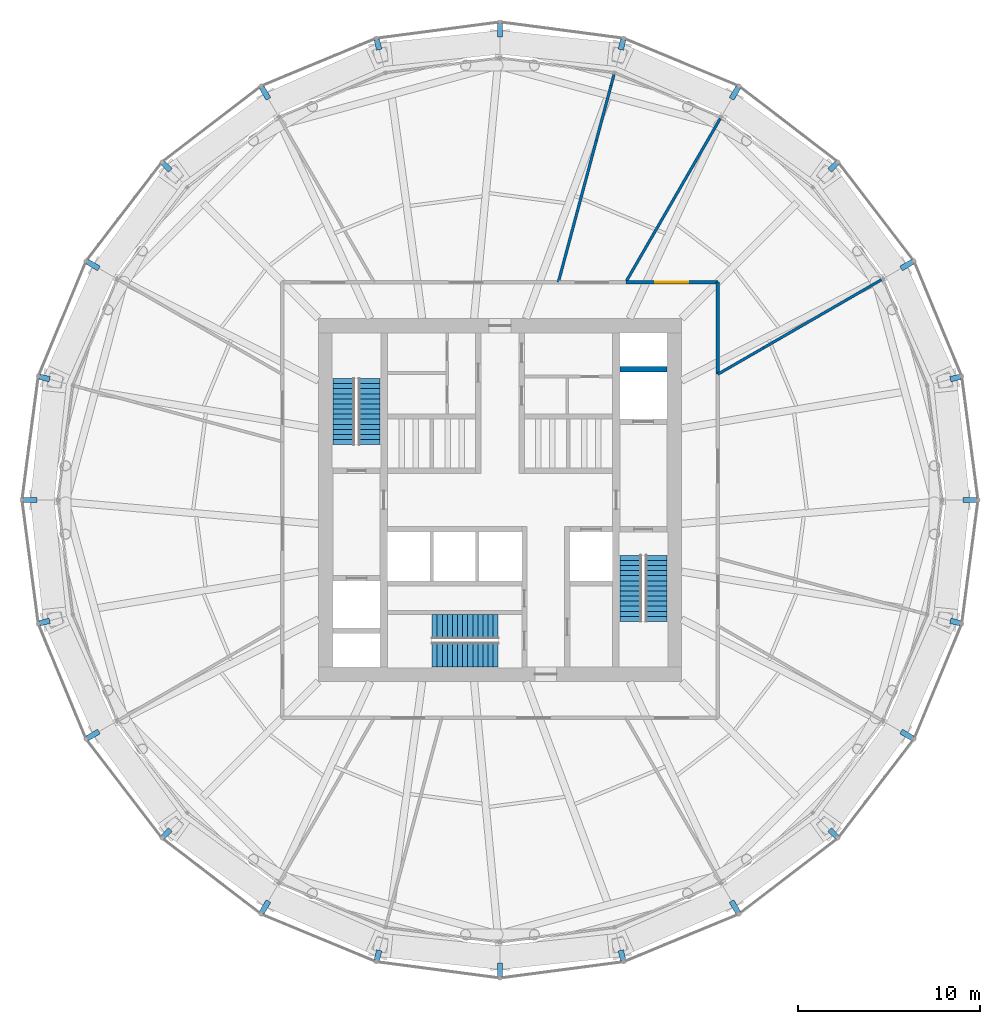
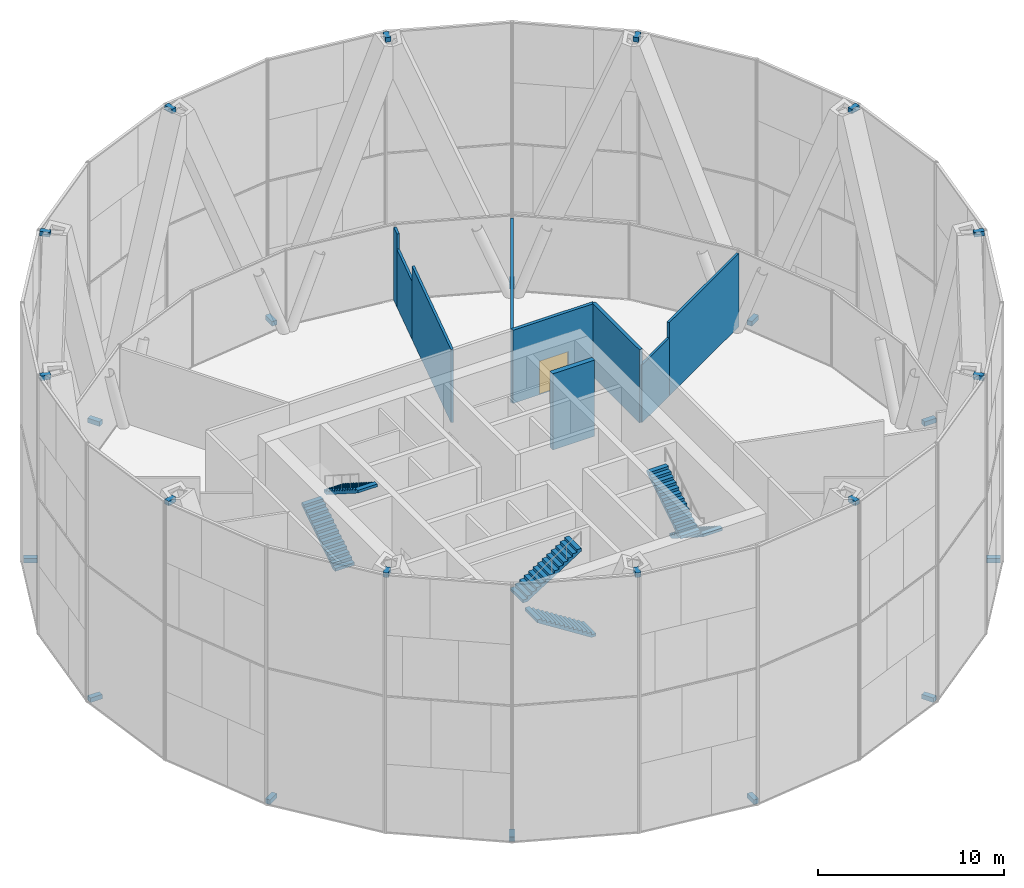
# One storey, part 15 of 16: 24 discrete accessories, 9 walls, 6 stair flights, 1 door, 1 opening, 3 elements without a shape of their own.
"""IFC4 building model written with IfcOpenShell, lengths in metres."""

from ifc_helpers import new_model, si_unit, direction, frame, frame_2d, origin, origin_2d, place, context, subcontext, project, spatial, polyline, rectangle, outline, extrude, material, layer, layer_set, type_object, element, fill, aggregate, save


model = new_model("IFC4")

# Units and contexts
model_context = context("Model", 3, precision=1e-05, world=origin(), true_north=direction((0.0, 1.0)))
body_context = subcontext(model_context, "Body", "Model", "MODEL_VIEW")
ifc_project = project(units=[si_unit("LENGTHUNIT", "METRE"), si_unit("AREAUNIT", "SQUARE_METRE"), si_unit("VOLUMEUNIT", "CUBIC_METRE"), si_unit("PLANEANGLEUNIT", "RADIAN"), si_unit("MASSUNIT", "GRAM", prefix="KILO")], contexts=[model_context])

# Site, building, storey
site_placement = place(None, origin())
site = spatial("IfcSite", under=ifc_project, at=site_placement, CompositionType="ELEMENT")
building_placement = place(site_placement, origin())
building = spatial("IfcBuilding", under=site, at=building_placement, Name="Golbaran Civic Tower", CompositionType="ELEMENT")
storey_placement = place(building_placement, frame((0.0, 0.0, 85.0)))
storey = spatial("IfcBuildingStorey", under=building, at=storey_placement, Name="L20", CompositionType="ELEMENT", Elevation=85.0)

# Wall
ifc_material_1 = material(Name="Gypsum board on steel studs, fire-rated", Category="steel")
ifc_layer_1 = layer(ifc_material_1, 0.199951171875, Name="Gypsum board on steel studs, fire-rated")
ifc_layer_set_1 = layer_set([ifc_layer_1], Name="Gypsum board on steel studs, fire-rated")
wall_type_1 = type_object("IfcWallType", Name="CORRIDOR WALL 200", PredefinedType="PARTITIONING", material=ifc_layer_set_1)
wall_1_placement = place(storey_placement, frame((12.0, 6.92822265625, 0.0), z_axis=(0.0, 0.0, 1.0), x_axis=(0.0, 1.0, 0.0)))
element("IfcWall", 1, at=wall_1_placement, inside=storey, type_object=wall_type_1, Name="Corridor wall L20", PredefinedType="PARTITIONING", context=body_context, shape_type="SweptSolid", body=[
    extrude(rectangle(XDim=5.07177734375, YDim=0.199951171875, at=frame_2d((2.535888671875, 0.0))), origin(), (0.0, 0.0, 1.0), 4.800048828125),
])

# Wall, opening, door
wall_2_placement = place(storey_placement, frame((12.0, 12.0, 0.0), z_axis=(0.0, 0.0, 1.0), x_axis=(-1.0, 0.0, 0.0)))
wall_2 = element("IfcWall", 2, at=wall_2_placement, inside=storey, type_object=wall_type_1, Name="Corridor wall L20", PredefinedType="PARTITIONING", context=body_context, shape_type="SweptSolid", body=[
    extrude(rectangle(XDim=5.07177734375, YDim=0.199951171875, at=frame_2d((2.535888671875, 0.0))), origin(), (0.0, 0.0, 1.0), 4.800048828125),
])
opening_placement = place(wall_2_placement, frame((1.635986328125, 0.0, 0.0)))
opening = element("IfcOpeningElement", 3, at=opening_placement, cuts=wall_2, Name="Opening L20.04", PredefinedType="OPENING", context=body_context, shape_type="SweptSolid", body=[
    extrude(rectangle(XDim=1.800048828125, YDim=2.199951171875, at=frame_2d((0.89990234375, 1.10009765625))), frame((0.0, 0.10986328125, 0.0), z_axis=(0.0, -1.0, 0.0), x_axis=(1.0, 0.0, 0.0)), (0.0, 0.0, 1.0), 0.219970703125),
])
ifc_material_2 = material(Name="Timber door set in steel frame", Category="steel")
door_type = type_object("IfcDoorType", Name="OFFICE DOUBLE DOOR 1800x2200", OperationType="DOUBLE_DOOR_SINGLE_SWING", PredefinedType="DOOR", material=ifc_material_2)
door_placement = place(opening_placement, origin())
door = element("IfcDoor", 4, at=door_placement, inside=storey, type_object=door_type, Name="Pump Room door L20", OperationType="DOUBLE_DOOR_SINGLE_SWING", OverallHeight=2.199951171875, OverallWidth=1.800048828125, PredefinedType="DOOR", context=body_context, shape_type="SweptSolid", body=[
    extrude(rectangle(XDim=1.800048828125, YDim=2.199951171875, at=frame_2d((0.89990234375, 1.10009765625))), frame((0.0, 0.02490234375, 0.0), z_axis=(0.0, -1.0, 0.0), x_axis=(1.0, 0.0, 0.0)), (0.0, 0.0, 1.0), 0.050048828125),
])
fill(opening, door)

# Walls
ifc_material_3 = material(Name="Gypsum board on steel studs", Category="steel")
ifc_layer_2 = layer(ifc_material_3, 0.14990234375, Name="Gypsum board on steel studs")
ifc_layer_set_2 = layer_set([ifc_layer_2], Name="Gypsum board on steel studs")
wall_type_2 = type_object("IfcWallType", Name="OFFICE PARTITION 150", PredefinedType="PARTITIONING", material=ifc_layer_set_2)
wall_3_placement = place(storey_placement, frame((12.0, 6.92822265625, 0.0), z_axis=(0.0, 0.0, 1.0), x_axis=(0.866026830048, 0.499997529631, 0.0)))
element("IfcWall", 5, at=wall_3_placement, inside=storey, type_object=wall_type_2, Name="Partition 30 L20", PredefinedType="PARTITIONING", context=body_context, shape_type="SweptSolid", body=[
    extrude(rectangle(XDim=2.91943359375, YDim=0.14990234375, at=frame_2d((1.459716796875, 0.0))), origin(), (0.0, 0.0, 1.0), 3.7900390625),
])
wall_4_placement = place(storey_placement, frame((14.5283203125, 8.387939453125, 0.0), z_axis=(0.0, 0.0, 1.0), x_axis=(0.8660207781, 0.500008011835, 0.0)))
element("IfcWall", 6, at=wall_4_placement, inside=storey, type_object=wall_type_2, Name="Partition 30 L20 (part 2)", PredefinedType="PARTITIONING", context=body_context, shape_type="SweptSolid", body=[
    extrude(rectangle(XDim=7.49951171875, YDim=0.14990234375, at=frame_2d((3.749755859375, 0.0))), origin(), (0.0, 0.0, 1.0), 4.800048828125),
])
wall_5_placement = place(storey_placement, frame((6.92822265625, 12.0, 0.0), z_axis=(0.0, 0.0, 1.0), x_axis=(0.500005074639, 0.86602247392, 0.0)))
element("IfcWall", 7, at=wall_5_placement, inside=storey, type_object=wall_type_2, Name="Partition 60 L20", PredefinedType="PARTITIONING", context=body_context, shape_type="SweptSolid", body=[
    extrude(rectangle(XDim=10.4189453125, YDim=0.14990234375, at=frame_2d((5.20947265625, 0.0))), origin(), (0.0, 0.0, 1.0), 4.800048828125),
])
wall_6_placement = place(storey_placement, frame((3.21533203125, 12.0, 0.0), z_axis=(0.0, 0.0, 1.0), x_axis=(0.258830053586, 0.965922876508, 0.0)))
element("IfcWall", 8, at=wall_6_placement, inside=storey, type_object=wall_type_2, Name="Partition 75 L20", PredefinedType="PARTITIONING", context=body_context, shape_type="SweptSolid", body=[
    extrude(rectangle(XDim=8.094970703125, YDim=0.14990234375, at=frame_2d((4.04736328125, 0.0))), origin(), (0.0, 0.0, 1.0), 4.800048828125),
])
wall_7_placement = place(storey_placement, frame((5.310546875, 19.819091796875, 0.0), z_axis=(0.0, 0.0, 1.0), x_axis=(0.258835525839, 0.965921410138, 0.0)))
element("IfcWall", 9, at=wall_7_placement, inside=storey, type_object=wall_type_2, Name="Partition 75 L20 (part 2)", PredefinedType="PARTITIONING", context=body_context, shape_type="SweptSolid", body=[
    extrude(rectangle(XDim=3.10888671875, YDim=0.14990234375, at=frame_2d((1.554443359375, 0.0))), origin(), (0.0, 0.0, 1.0), 3.7900390625),
])
wall_8_placement = place(storey_placement, frame((6.115234375, 22.822021484375, 0.0), z_axis=(0.0, 0.0, 1.0), x_axis=(0.258811407408, 0.965927872771, 0.0)))
element("IfcWall", 10, at=wall_8_placement, inside=storey, type_object=wall_type_2, Name="Partition 75 L20 (part 3)", PredefinedType="PARTITIONING", context=body_context, shape_type="SweptSolid", body=[
    extrude(rectangle(XDim=0.64794921875, YDim=0.14990234375, at=frame_2d((0.323974609375, 0.0))), origin(), (0.0, 0.0, 1.0), 4.800048828125),
])
ifc_material_4 = material(Name="Concrete C50/60", Category="concrete")
ifc_layer_3 = layer(ifc_material_4, 0.300048828125, Name="Concrete C50/60")
ifc_layer_set_3 = layer_set([ifc_layer_3], Name="Concrete C50/60")
wall_type_3 = type_object("IfcWallType", Name="SHAFT WALL CONCRETE 300", PredefinedType="SOLIDWALL", material=ifc_layer_set_3)
wall_9_placement = place(storey_placement, frame((6.60009765625, 7.199951171875, 0.0), z_axis=(0.0, 0.0, 1.0), x_axis=(1.0, 0.0, 0.0)))
element("IfcWall", 11, at=wall_9_placement, inside=storey, type_object=wall_type_3, Name="Core wall XE3 L20", PredefinedType="SOLIDWALL", context=body_context, shape_type="SweptSolid", body=[
    extrude(rectangle(XDim=2.599853515625, YDim=0.300048828125, at=frame_2d((1.2998046875, 0.0))), origin(), (0.0, 0.0, 1.0), 5.0),
])

# Stair, stair flights
ifc_material_5 = material(Name="Concrete C35/45", Category="concrete")
stair_type_1 = type_object("IfcStairType", Name="EXIT STAIR 2600 x 7450, 5000 RISE", PredefinedType="HALF_TURN_STAIR", material=ifc_material_5)
stair_1_placement = place(storey_placement, origin())
stair_1 = element("IfcStair", 12, at=stair_1_placement, inside=storey, type_object=stair_type_1, Name="Stair S1 L20", PredefinedType="HALF_TURN_STAIR")
stair_flight_type_1 = type_object("IfcStairFlightType", Name="STAIR FLIGHT 1200 WIDE", PredefinedType="STRAIGHT", material=ifc_material_5)
stair_flight_1_placement = place(storey_placement, frame((-8.60009765625, 3.050048828125, 0.0), z_axis=(0.0, 0.0, 1.0), x_axis=(0.0, 1.0, 0.0)))
stair_flight_1 = element("IfcStairFlight", 13, at=stair_flight_1_placement, type_object=stair_flight_type_1, Name="ST26074-50 flight 1", NumberOfRisers=14, NumberOfTreads=13, PredefinedType="STRAIGHT", RiserHeight=0.178571429, TreadLength=0.28, context=body_context, shape_type="SweptSolid", body=[
    extrude(outline(polyline([(0.0, 0.0), (0.0, 0.178466796875), (0.280029296875, 0.178466796875), (0.280029296875, 0.357177734375), (0.56005859375, 0.357177734375), (0.56005859375, 0.53564453125), (0.840087890625, 0.53564453125), (0.840087890625, 0.71435546875), (1.1201171875, 0.71435546875), (1.1201171875, 0.892822265625), (1.39990234375, 0.892822265625), (1.39990234375, 1.071533203125), (1.679931640625, 1.071533203125), (1.679931640625, 1.25), (1.9599609375, 1.25), (1.9599609375, 1.428466796875), (2.239990234375, 1.428466796875), (2.239990234375, 1.607177734375), (2.52001953125, 1.607177734375), (2.52001953125, 1.78564453125), (2.800048828125, 1.78564453125), (2.800048828125, 1.96435546875), (3.080078125, 1.96435546875), (3.080078125, 2.142822265625), (3.360107421875, 2.142822265625), (3.360107421875, 2.321533203125), (3.639892578125, 2.321533203125), (3.639892578125, 2.5), (3.639892578125, 2.1435546875), (0.27880859375, 0.0), (0.0, 0.0)])), frame((0.0, 0.60009765625, 0.0), z_axis=(0.0, -1.0, 0.0), x_axis=(1.0, 0.0, 0.0)), (0.0, 0.0, 1.0), 1.199951171875),
])
stair_flight_2_placement = place(storey_placement, frame((-7.199951171875, 6.68994140625, 2.5), z_axis=(0.0, 0.0, 1.0), x_axis=(0.0, -1.0, 0.0)))
stair_flight_2 = element("IfcStairFlight", 14, at=stair_flight_2_placement, type_object=stair_flight_type_1, Name="ST26074-50 flight 2", NumberOfRisers=14, NumberOfTreads=13, PredefinedType="STRAIGHT", RiserHeight=0.178571429, TreadLength=0.28, context=body_context, shape_type="SweptSolid", body=[
    extrude(outline(polyline([(0.0, 0.0), (0.0, 0.178466796875), (0.280029296875, 0.178466796875), (0.280029296875, 0.357177734375), (0.56005859375, 0.357177734375), (0.56005859375, 0.53564453125), (0.840087890625, 0.53564453125), (0.840087890625, 0.71435546875), (1.1201171875, 0.71435546875), (1.1201171875, 0.892822265625), (1.39990234375, 0.892822265625), (1.39990234375, 1.071533203125), (1.679931640625, 1.071533203125), (1.679931640625, 1.25), (1.9599609375, 1.25), (1.9599609375, 1.428466796875), (2.239990234375, 1.428466796875), (2.239990234375, 1.607177734375), (2.52001953125, 1.607177734375), (2.52001953125, 1.78564453125), (2.800048828125, 1.78564453125), (2.800048828125, 1.96435546875), (3.080078125, 1.96435546875), (3.080078125, 2.142822265625), (3.360107421875, 2.142822265625), (3.360107421875, 2.321533203125), (3.639892578125, 2.321533203125), (3.639892578125, 2.5), (3.639892578125, 2.1435546875), (0.27880859375, 0.0), (0.0, 0.0)])), frame((0.0, 0.60009765625, 0.0), z_axis=(0.0, -1.0, 0.0), x_axis=(1.0, 0.0, 0.0)), (0.0, 0.0, 1.0), 1.199951171875),
])
aggregate(stair_1, [stair_flight_1, stair_flight_2])

stair_2_placement = place(storey_placement, origin())
stair_2 = element("IfcStair", 15, at=stair_2_placement, inside=storey, type_object=stair_type_1, Name="Stair S2 L20", PredefinedType="HALF_TURN_STAIR")
stair_flight_3_placement = place(storey_placement, frame((8.60009765625, -3.050048828125, 0.0), z_axis=(0.0, 0.0, 1.0), x_axis=(0.0, -1.0, 0.0)))
stair_flight_3 = element("IfcStairFlight", 16, at=stair_flight_3_placement, type_object=stair_flight_type_1, Name="ST26074-50 flight 1", NumberOfRisers=14, NumberOfTreads=13, PredefinedType="STRAIGHT", RiserHeight=0.178571429, TreadLength=0.28, context=body_context, shape_type="SweptSolid", body=[
    extrude(outline(polyline([(0.0, 0.0), (0.0, 0.178466796875), (0.280029296875, 0.178466796875), (0.280029296875, 0.357177734375), (0.56005859375, 0.357177734375), (0.56005859375, 0.53564453125), (0.840087890625, 0.53564453125), (0.840087890625, 0.71435546875), (1.1201171875, 0.71435546875), (1.1201171875, 0.892822265625), (1.39990234375, 0.892822265625), (1.39990234375, 1.071533203125), (1.679931640625, 1.071533203125), (1.679931640625, 1.25), (1.9599609375, 1.25), (1.9599609375, 1.428466796875), (2.239990234375, 1.428466796875), (2.239990234375, 1.607177734375), (2.52001953125, 1.607177734375), (2.52001953125, 1.78564453125), (2.800048828125, 1.78564453125), (2.800048828125, 1.96435546875), (3.080078125, 1.96435546875), (3.080078125, 2.142822265625), (3.360107421875, 2.142822265625), (3.360107421875, 2.321533203125), (3.639892578125, 2.321533203125), (3.639892578125, 2.5), (3.639892578125, 2.1435546875), (0.27880859375, 0.0), (0.0, 0.0)])), frame((0.0, 0.60009765625, 0.0), z_axis=(0.0, -1.0, 0.0), x_axis=(1.0, 0.0, 0.0)), (0.0, 0.0, 1.0), 1.199951171875),
])
stair_flight_4_placement = place(storey_placement, frame((7.199951171875, -6.68994140625, 2.5), z_axis=(0.0, 0.0, 1.0), x_axis=(0.0, 1.0, 0.0)))
stair_flight_4 = element("IfcStairFlight", 17, at=stair_flight_4_placement, type_object=stair_flight_type_1, Name="ST26074-50 flight 2", NumberOfRisers=14, NumberOfTreads=13, PredefinedType="STRAIGHT", RiserHeight=0.178571429, TreadLength=0.28, context=body_context, shape_type="SweptSolid", body=[
    extrude(outline(polyline([(0.0, 0.0), (0.0, 0.178466796875), (0.280029296875, 0.178466796875), (0.280029296875, 0.357177734375), (0.56005859375, 0.357177734375), (0.56005859375, 0.53564453125), (0.840087890625, 0.53564453125), (0.840087890625, 0.71435546875), (1.1201171875, 0.71435546875), (1.1201171875, 0.892822265625), (1.39990234375, 0.892822265625), (1.39990234375, 1.071533203125), (1.679931640625, 1.071533203125), (1.679931640625, 1.25), (1.9599609375, 1.25), (1.9599609375, 1.428466796875), (2.239990234375, 1.428466796875), (2.239990234375, 1.607177734375), (2.52001953125, 1.607177734375), (2.52001953125, 1.78564453125), (2.800048828125, 1.78564453125), (2.800048828125, 1.96435546875), (3.080078125, 1.96435546875), (3.080078125, 2.142822265625), (3.360107421875, 2.142822265625), (3.360107421875, 2.321533203125), (3.639892578125, 2.321533203125), (3.639892578125, 2.5), (3.639892578125, 2.1435546875), (0.27880859375, 0.0), (0.0, 0.0)])), frame((0.0, 0.60009765625, 0.0), z_axis=(0.0, -1.0, 0.0), x_axis=(1.0, 0.0, 0.0)), (0.0, 0.0, 1.0), 1.199951171875),
])
aggregate(stair_2, [stair_flight_3, stair_flight_4])

stair_type_2 = type_object("IfcStairType", Name="EXIT STAIR 2900 x 7400, 5000 RISE", PredefinedType="HALF_TURN_STAIR", material=ifc_material_5)
stair_3_placement = place(storey_placement, origin())
stair_3 = element("IfcStair", 18, at=stair_3_placement, inside=storey, type_object=stair_type_2, Name="Stair S3 L20", PredefinedType="HALF_TURN_STAIR")
stair_flight_type_2 = type_object("IfcStairFlightType", Name="STAIR FLIGHT 1350 WIDE", PredefinedType="STRAIGHT", material=ifc_material_5)
stair_flight_5_placement = place(storey_placement, frame((-0.10009765625, -8.52490234375, 0.0), z_axis=(0.0, 0.0, 1.0), x_axis=(-1.0, 0.0, 0.0)))
stair_flight_5 = element("IfcStairFlight", 19, at=stair_flight_5_placement, type_object=stair_flight_type_2, Name="ST29074-50 flight 1", NumberOfRisers=14, NumberOfTreads=13, PredefinedType="STRAIGHT", RiserHeight=0.178571429, TreadLength=0.28, context=body_context, shape_type="SweptSolid", body=[
    extrude(outline(polyline([(0.0, 0.0), (0.0, 0.178466796875), (0.280029296875, 0.178466796875), (0.280029296875, 0.357177734375), (0.56005859375, 0.357177734375), (0.56005859375, 0.53564453125), (0.840087890625, 0.53564453125), (0.840087890625, 0.71435546875), (1.1201171875, 0.71435546875), (1.1201171875, 0.892822265625), (1.39990234375, 0.892822265625), (1.39990234375, 1.071533203125), (1.679931640625, 1.071533203125), (1.679931640625, 1.25), (1.9599609375, 1.25), (1.9599609375, 1.428466796875), (2.239990234375, 1.428466796875), (2.239990234375, 1.607177734375), (2.52001953125, 1.607177734375), (2.52001953125, 1.78564453125), (2.800048828125, 1.78564453125), (2.800048828125, 1.96435546875), (3.080078125, 1.96435546875), (3.080078125, 2.142822265625), (3.360107421875, 2.142822265625), (3.360107421875, 2.321533203125), (3.639892578125, 2.321533203125), (3.639892578125, 2.5), (3.639892578125, 2.1435546875), (0.27880859375, 0.0), (0.0, 0.0)])), frame((0.0, 0.675048828125, 0.0), z_axis=(0.0, -1.0, 0.0), x_axis=(1.0, 0.0, 0.0)), (0.0, 0.0, 1.0), 1.35009765625),
])
stair_flight_6_placement = place(storey_placement, frame((-3.739990234375, -6.97509765625, 2.5), z_axis=(0.0, 0.0, 1.0), x_axis=(1.0, 0.0, 0.0)))
stair_flight_6 = element("IfcStairFlight", 20, at=stair_flight_6_placement, type_object=stair_flight_type_2, Name="ST29074-50 flight 2", NumberOfRisers=14, NumberOfTreads=13, PredefinedType="STRAIGHT", RiserHeight=0.178571429, TreadLength=0.28, context=body_context, shape_type="SweptSolid", body=[
    extrude(outline(polyline([(0.0, 0.0), (0.0, 0.178466796875), (0.280029296875, 0.178466796875), (0.280029296875, 0.357177734375), (0.56005859375, 0.357177734375), (0.56005859375, 0.53564453125), (0.840087890625, 0.53564453125), (0.840087890625, 0.71435546875), (1.1201171875, 0.71435546875), (1.1201171875, 0.892822265625), (1.39990234375, 0.892822265625), (1.39990234375, 1.071533203125), (1.679931640625, 1.071533203125), (1.679931640625, 1.25), (1.9599609375, 1.25), (1.9599609375, 1.428466796875), (2.239990234375, 1.428466796875), (2.239990234375, 1.607177734375), (2.52001953125, 1.607177734375), (2.52001953125, 1.78564453125), (2.800048828125, 1.78564453125), (2.800048828125, 1.96435546875), (3.080078125, 1.96435546875), (3.080078125, 2.142822265625), (3.360107421875, 2.142822265625), (3.360107421875, 2.321533203125), (3.639892578125, 2.321533203125), (3.639892578125, 2.5), (3.639892578125, 2.1435546875), (0.27880859375, 0.0), (0.0, 0.0)])), frame((0.0, 0.675048828125, 0.0), z_axis=(0.0, -1.0, 0.0), x_axis=(1.0, 0.0, 0.0)), (0.0, 0.0, 1.0), 1.35009765625),
])
aggregate(stair_3, [stair_flight_5, stair_flight_6])

# Discrete accessories
ifc_material_6 = material(Name="Steel S355", Category="steel")
discrete_accessory_type = type_object("IfcDiscreteAccessoryType", Name="OUTER SKIN BRACKET", PredefinedType="BRACKET", material=ifc_material_6)
for number, where, z_axis, x_axis, name in (
    (21, (25.881103515625, 0.0, -0.7099609375), (0.0, 0.0, 1.0), (1.0, 0.0, 0.0), "Outer skin bracket L20 node 1"),
    (22, (22.41357421875, 12.9404296875, -0.7099609375), (0.0, 0.0, 1.0), (0.866025403784, 0.5, 0.0), "Outer skin bracket L20 node 2"),
    (23, (12.9404296875, 22.41357421875, -0.7099609375), (0.0, 0.0, 1.0), (0.5, 0.866025403784, 0.0), "Outer skin bracket L20 node 3"),
    (24, (0.0, 25.881103515625, -0.7099609375), (0.0, 0.0, 1.0), (0.0, 1.0, 0.0), "Outer skin bracket L20 node 4"),
    (25, (-12.9404296875, 22.41357421875, -0.7099609375), (0.0, 0.0, 1.0), (-0.5, 0.866025403784, 0.0), "Outer skin bracket L20 node 5"),
    (26, (-22.41357421875, 12.9404296875, -0.7099609375), (0.0, 0.0, 1.0), (-0.866025403784, 0.5, 0.0), "Outer skin bracket L20 node 6"),
    (27, (-25.881103515625, 0.0, -0.7099609375), (0.0, 0.0, 1.0), (-1.0, 0.0, 0.0), "Outer skin bracket L20 node 7"),
    (28, (-22.41357421875, -12.9404296875, -0.7099609375), (0.0, 0.0, 1.0), (-0.866025403784, -0.5, 0.0), "Outer skin bracket L20 node 8"),
    (29, (-12.9404296875, -22.41357421875, -0.7099609375), (0.0, 0.0, 1.0), (-0.5, -0.866025403784, 0.0), "Outer skin bracket L20 node 9"),
    (30, (0.0, -25.881103515625, -0.7099609375), (0.0, 0.0, 1.0), (0.0, -1.0, 0.0), "Outer skin bracket L20 node 10"),
    (31, (12.9404296875, -22.41357421875, -0.7099609375), (0.0, 0.0, 1.0), (0.5, -0.866025403784, 0.0), "Outer skin bracket L20 node 11"),
    (32, (22.41357421875, -12.9404296875, -0.7099609375), (0.0, 0.0, 1.0), (0.866025403784, -0.5, 0.0), "Outer skin bracket L20 node 12"),
):
    element("IfcDiscreteAccessory", number, at=place(storey_placement, frame(where, z_axis=z_axis, x_axis=x_axis)), inside=storey, type_object=discrete_accessory_type, Name=name, PredefinedType="BRACKET", context=body_context, shape_type="SweptSolid", body=[
        extrude(rectangle(XDim=0.739990234375, YDim=0.300048828125, at=origin_2d()), origin(), (0.0, 0.0, 1.0), 0.300048828125),
    ])
for number, where, z_axis, x_axis, name in (
    (33, (25.081298828125, 6.720458984375, 15.98974609375), (0.0, 0.0, 1.0), (0.965925826289, 0.258819045103, 0.0), "Outer skin head bracket L20 node 1"),
    (34, (18.36083984375, 18.36083984375, 15.98974609375), (0.0, 0.0, 1.0), (0.707106781187, 0.707106781187, 0.0), "Outer skin head bracket L20 node 2"),
    (35, (6.720458984375, 25.081298828125, 15.98974609375), (0.0, 0.0, 1.0), (0.258819045103, 0.965925826289, 0.0), "Outer skin head bracket L20 node 3"),
    (36, (-6.720458984375, 25.081298828125, 15.98974609375), (0.0, 0.0, 1.0), (-0.258819045103, 0.965925826289, 0.0), "Outer skin head bracket L20 node 4"),
    (37, (-18.36083984375, 18.36083984375, 15.98974609375), (0.0, 0.0, 1.0), (-0.707106781187, 0.707106781187, 0.0), "Outer skin head bracket L20 node 5"),
    (38, (-25.081298828125, 6.720458984375, 15.98974609375), (0.0, 0.0, 1.0), (-0.965925826289, 0.258819045103, 0.0), "Outer skin head bracket L20 node 6"),
    (39, (-25.081298828125, -6.720458984375, 15.98974609375), (0.0, 0.0, 1.0), (-0.965925826289, -0.258819045103, 0.0), "Outer skin head bracket L20 node 7"),
    (40, (-18.36083984375, -18.36083984375, 15.98974609375), (0.0, 0.0, 1.0), (-0.707106781187, -0.707106781187, 0.0), "Outer skin head bracket L20 node 8"),
    (41, (-6.720458984375, -25.081298828125, 15.98974609375), (0.0, 0.0, 1.0), (-0.258819045103, -0.965925826289, 0.0), "Outer skin head bracket L20 node 9"),
    (42, (6.720458984375, -25.081298828125, 15.98974609375), (0.0, 0.0, 1.0), (0.258819045103, -0.965925826289, 0.0), "Outer skin head bracket L20 node 10"),
    (43, (18.36083984375, -18.36083984375, 15.98974609375), (0.0, 0.0, 1.0), (0.707106781187, -0.707106781187, 0.0), "Outer skin head bracket L20 node 11"),
    (44, (25.081298828125, -6.720458984375, 15.98974609375), (0.0, 0.0, 1.0), (0.965925826289, -0.258819045103, 0.0), "Outer skin head bracket L20 node 12"),
):
    element("IfcDiscreteAccessory", number, at=place(storey_placement, frame(where, z_axis=z_axis, x_axis=x_axis)), inside=storey, type_object=discrete_accessory_type, Name=name, PredefinedType="BRACKET", context=body_context, shape_type="SweptSolid", body=[
        extrude(rectangle(XDim=0.570068359375, YDim=0.300048828125, at=origin_2d()), origin(), (0.0, 0.0, 1.0), 0.300048828125),
    ])

save(model, "model.ifc")
